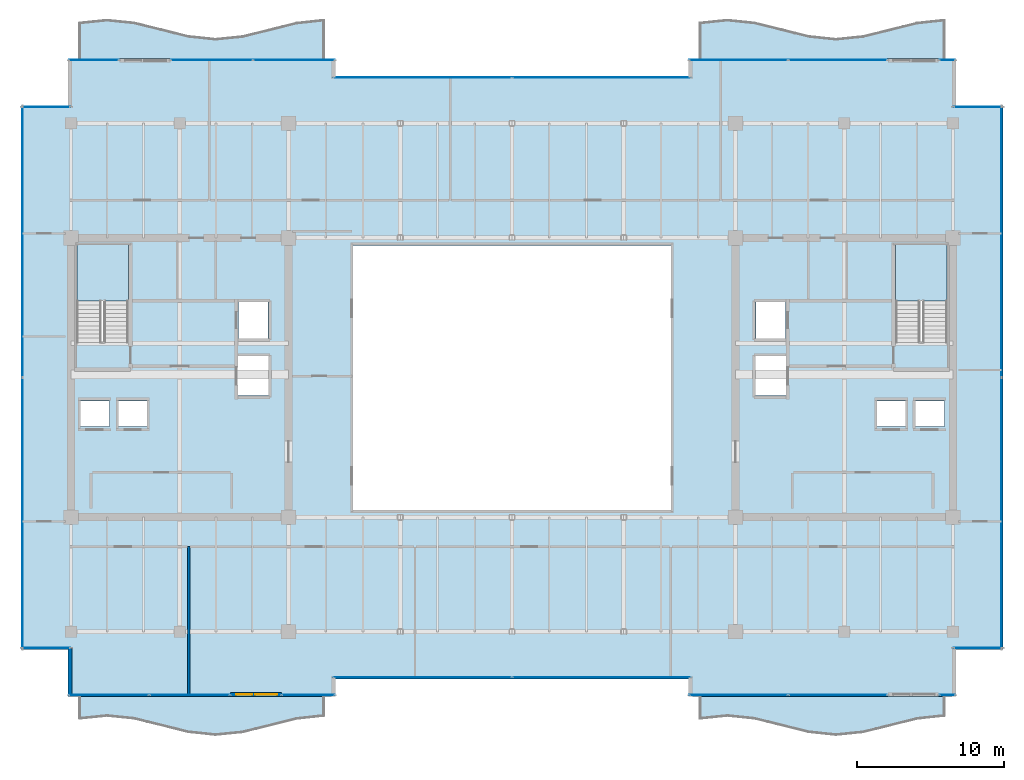
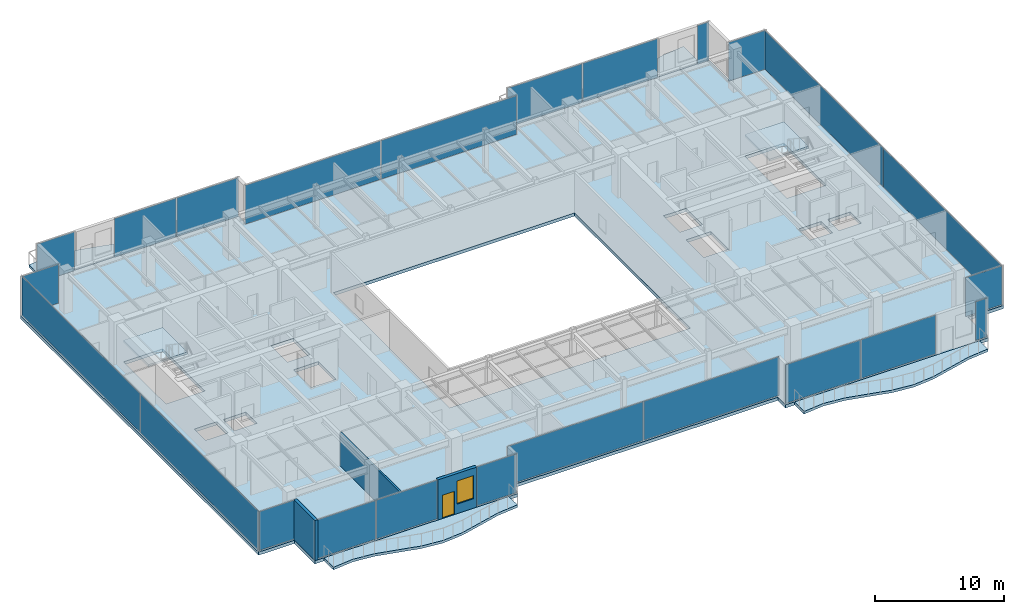
# One storey, part 27 of 34: 24 plates, 7 slabs, 3 walls, 1 door, 1 window, 2 openings, 18 elements without a shape of their own.
"""IFC4 building model written with IfcOpenShell, lengths in metres."""

import ifcopenshell
import ifcopenshell.guid

model = None  # the IFC model being written
_history = None  # IfcOwnerHistory: only IFC2X3 demands one
_inside = {}  # id of a spatial element -> (the spatial element, [elements in it])
_under = {}  # id of a project, library or spatial element -> (it, [spatial elements below it])
_declared = {}  # id of a project -> (the project, [libraries it declares])
_typed = {}  # id of a type object -> (the type object, [elements of that type])
_made_of = {}  # id of a material, layer set ... -> (it, [elements and type objects made of it])


def new_model(schema):
    """Start an empty IFC model of exactly this schema.

    Asked for "IFC4X3", IfcOpenShell would pick the latest addendum, in which some entities
    have other attributes; the version numbers below select the first issue.
    IFC2X3 requires an IfcOwnerHistory on every rooted entity: one is made here for all.
    """
    global model, _history
    if schema == "IFC4X3":
        model = ifcopenshell.file(schema_version=(4, 3, 0, 0))
    else:
        model = ifcopenshell.file(schema=schema)
    _inside.clear()
    _under.clear()
    _declared.clear()
    _typed.clear()
    _made_of.clear()
    _history = None
    if model.schema == "IFC2X3":
        org = make("IfcOrganization", Name="unknown")
        user = make(
            "IfcPersonAndOrganization",
            ThePerson=make("IfcPerson", FamilyName="unknown"),
            TheOrganization=org,
        )
        app = make(
            "IfcApplication",
            ApplicationDeveloper=org,
            Version="unknown",
            ApplicationFullName="unknown",
            ApplicationIdentifier="unknown",
        )
        _history = make(
            "IfcOwnerHistory",
            OwningUser=user,
            OwningApplication=app,
            ChangeAction="ADDED",
            CreationDate=0,
        )
    return model


def make(cls, **values):
    """One entity of the class cls with the attributes given. An attribute that is None is left unset."""
    return model.create_entity(
        cls, **{name: value for name, value in values.items() if value is not None}
    )


def rooted(cls, **values):
    """An entity with a GlobalId (a new one), such as an element, a storey or a relation."""
    return make(cls, GlobalId=ifcopenshell.guid.new(), OwnerHistory=_history, **values)


def si_unit(unit_type, name, prefix=None):
    """IfcSIUnit, for example si_unit("LENGTHUNIT", "METRE", prefix="MILLI")."""
    return make("IfcSIUnit", UnitType=unit_type, Prefix=prefix, Name=name)


def assignment(units):
    """IfcUnitAssignment: the units of a project."""
    return None if units is None else make("IfcUnitAssignment", Units=units)


def point(xyz):
    """IfcCartesianPoint."""
    return None if xyz is None else make("IfcCartesianPoint", Coordinates=xyz)


def direction(xyz):
    """IfcDirection."""
    return None if xyz is None else make("IfcDirection", DirectionRatios=xyz)


def frame(location, z_axis=None, x_axis=None):
    """IfcAxis2Placement3D, a coordinate frame: its origin and axes. An axis left out is left unset."""
    return make(
        "IfcAxis2Placement3D",
        Location=point(location),
        Axis=direction(z_axis),
        RefDirection=direction(x_axis),
    )


def frame_2d(location, x_axis=None):
    """IfcAxis2Placement2D, a coordinate frame in the plane: its origin and x axis."""
    return make(
        "IfcAxis2Placement2D", Location=point(location), RefDirection=direction(x_axis)
    )


def origin():
    """The frame at (0, 0, 0) with its axes left unset."""
    return frame((0.0, 0.0, 0.0))


def origin_2d():
    """The frame at (0, 0) in the plane with its x axis left unset."""
    return frame_2d((0.0, 0.0))


def place(relative_to, where):
    """IfcLocalPlacement: puts the frame where relative to a parent placement (None: the world)."""
    return make(
        "IfcLocalPlacement", PlacementRelTo=relative_to, RelativePlacement=where
    )


def context(
    kind, dimensions, precision=None, world=None, true_north=None, identifier=None
):
    """IfcGeometricRepresentationContext, for example the 3D "Model" context."""
    return make(
        "IfcGeometricRepresentationContext",
        ContextIdentifier=identifier,
        ContextType=kind,
        CoordinateSpaceDimension=dimensions,
        Precision=precision,
        WorldCoordinateSystem=world,
        TrueNorth=true_north,
    )


def subcontext(parent, identifier, kind, view, scale=None):
    """IfcGeometricRepresentationSubContext, for example "Body" below "Model"."""
    return make(
        "IfcGeometricRepresentationSubContext",
        ContextIdentifier=identifier,
        ContextType=kind,
        ParentContext=parent,
        TargetScale=scale,
        TargetView=view,
    )


def project(units=None, contexts=None):
    """IfcProject with its units and contexts."""
    return rooted(
        "IfcProject",
        Name="project",
        RepresentationContexts=contexts,
        UnitsInContext=assignment(units),
    )


def spatial(cls, under=None, at=None, **own):
    """A site, building, storey or space (cls), placed at a placement, below another one or the project."""
    s = rooted(cls, ObjectPlacement=at, **own)
    if under is not None:
        _under.setdefault(under.id(), (under, []))[1].append(s)
    return s


def polyline(points):
    """IfcPolyline through the points."""
    return make("IfcPolyline", Points=[point(p) for p in points])


def profile(cls, at=None, kind="AREA", **sizes):
    """A parametric profile (cls). Its sizes go by their IFC names, for example OverallWidth=200.0."""
    return make(cls, ProfileType=kind, Position=at, **sizes)


def rectangle(**sizes):
    """IfcRectangleProfileDef."""
    return profile("IfcRectangleProfileDef", **sizes)


def outline(outer, holes=None, kind="AREA"):
    """IfcArbitraryClosedProfileDef: a profile drawn as a closed curve; with holes, ...WithVoids."""
    if holes is None:
        return make("IfcArbitraryClosedProfileDef", ProfileType=kind, OuterCurve=outer)
    return make(
        "IfcArbitraryProfileDefWithVoids",
        ProfileType=kind,
        OuterCurve=outer,
        InnerCurves=holes,
    )


def extrude(swept, where, along, depth):
    """IfcExtrudedAreaSolid: the profile swept, set in the frame where, extruded along a direction by depth."""
    return make(
        "IfcExtrudedAreaSolid",
        SweptArea=swept,
        Position=where,
        ExtrudedDirection=direction(along),
        Depth=depth,
    )


def shape(context_of_items, identifier, shape_type, items):
    """IfcShapeRepresentation: the items that make up one representation, for example the "Body"."""
    return make(
        "IfcShapeRepresentation",
        ContextOfItems=context_of_items,
        RepresentationIdentifier=identifier,
        RepresentationType=shape_type,
        Items=items,
    )


def source(mapping_origin, context_of_items, identifier, shape_type, items):
    """IfcRepresentationMap: a shape defined once, which mapped items show again and again."""
    return make(
        "IfcRepresentationMap",
        MappingOrigin=mapping_origin,
        MappedRepresentation=shape(context_of_items, identifier, shape_type, items),
    )


def transform(
    local_origin,
    x_axis=None,
    y_axis=None,
    z_axis=None,
    scale=None,
    scale2=None,
    scale3=None,
    uniform=True,
):
    """IfcCartesianTransformationOperator3D, or its non-uniform kind. x_axis, y_axis, z_axis: its Axis1, 2, 3."""
    if uniform:
        return make(
            "IfcCartesianTransformationOperator3D",
            Axis1=direction(x_axis),
            Axis2=direction(y_axis),
            LocalOrigin=point(local_origin),
            Scale=scale,
            Axis3=direction(z_axis),
        )
    return make(
        "IfcCartesianTransformationOperator3DnonUniform",
        Axis1=direction(x_axis),
        Axis2=direction(y_axis),
        LocalOrigin=point(local_origin),
        Scale=scale,
        Axis3=direction(z_axis),
        Scale2=scale2,
        Scale3=scale3,
    )


def mapped(mapping_source, mapping_target):
    """IfcMappedItem: shows the shape of a source again, moved by a transform."""
    return make(
        "IfcMappedItem", MappingSource=mapping_source, MappingTarget=mapping_target
    )


def material(Name=None, Category=None):
    """IfcMaterial."""
    return make("IfcMaterial", Name=Name, Category=Category)


def layer(
    of_material, thickness, ventilated=None, Name=None, Category=None, Priority=None
):
    """IfcMaterialLayer: one layer of a wall or slab, of a material (None: an air gap)."""
    return make(
        "IfcMaterialLayer",
        Material=of_material,
        LayerThickness=thickness,
        IsVentilated=ventilated,
        Name=Name,
        Category=Category,
        Priority=Priority,
    )


def layer_set(layers, Name=None):
    """IfcMaterialLayerSet."""
    return make("IfcMaterialLayerSet", MaterialLayers=layers, LayerSetName=Name)


def made_of(thing, what):
    """Note that an element or type object is made of a material, layer set ...; save() writes the relation."""
    if what is not None:
        _made_of.setdefault(what.id(), (what, []))[1].append(thing)
    return thing


def type_object(cls, material=None, **own):
    """A type object (cls), such as IfcWallType, which elements share."""
    return made_of(rooted(cls, **own), material)


def type_shapes(of_type, sources):
    """Give a type object the sources (RepresentationMaps) that its elements show as mapped items."""
    of_type.RepresentationMaps = sources


def element(
    cls,
    number,
    at=None,
    inside=None,
    cuts=None,
    type_object=None,
    material=None,
    context=None,
    identifier="Body",
    shape_type=None,
    held_by="IfcProductDefinitionShape",
    body=None,
    shapes=None,
    **own,
):
    """One element of the class cls, such as IfcWall. Its Tag is "e" and its number.

    at: its placement. inside: the storey or other place that contains it. cuts: it is an
    opening in that element (IfcRelVoidsElement). A single representation is given by context,
    identifier, shape_type and body (its items); several are given by shapes. held_by: the class
    of the entity that holds the representations. save() writes the other relations.
    """
    e = rooted(cls, Tag="e%d" % number, ObjectPlacement=at, **own)
    if body is not None:
        shapes = [shape(context, identifier, shape_type, body)]
    if shapes is not None:
        e.Representation = make(held_by, Representations=shapes)
    if inside is not None:
        _inside.setdefault(inside.id(), (inside, []))[1].append(e)
    if cuts is not None:
        rooted(
            "IfcRelVoidsElement", RelatingBuildingElement=cuts, RelatedOpeningElement=e
        )
    if type_object is not None:
        _typed.setdefault(type_object.id(), (type_object, []))[1].append(e)
    return made_of(e, material)


def fill(opening, filler):
    """IfcRelFillsElement: the door or window that sits in an opening."""
    return rooted(
        "IfcRelFillsElement",
        RelatingOpeningElement=opening,
        RelatedBuildingElement=filler,
    )


def aggregate(whole, parts):
    """IfcRelAggregates: a whole, such as a stair, and the parts it consists of."""
    return rooted("IfcRelAggregates", RelatingObject=whole, RelatedObjects=parts)


def save(model, path):
    """Write the relations noted so far, then the file.

    IfcRelAggregates (storeys below a building ...), IfcRelContainedInSpatialStructure (elements
    in a storey), IfcRelDefinesByType, IfcRelAssociatesMaterial and IfcRelDeclares: one each for
    every whole, place, type object, material and project.
    """
    for whole, parts in _under.values():
        aggregate(whole, parts)
    for where, things in _inside.values():
        rooted(
            "IfcRelContainedInSpatialStructure",
            RelatedElements=things,
            RelatingStructure=where,
        )
    for kind, things in _typed.values():
        rooted("IfcRelDefinesByType", RelatedObjects=things, RelatingType=kind)
    for what, things in _made_of.values():
        rooted("IfcRelAssociatesMaterial", RelatedObjects=things, RelatingMaterial=what)
    for by, libraries in _declared.values():
        rooted("IfcRelDeclares", RelatingContext=by, RelatedDefinitions=libraries)
    model.write(path)


model = new_model("IFC4")

# Units and contexts
model_context = context("Model", 3, precision=1e-05, world=origin(), true_north=direction((0.0, 1.0)))
body_context = subcontext(model_context, "Body", "Model", "MODEL_VIEW")
ifc_project = project(units=[si_unit("LENGTHUNIT", "METRE"), si_unit("AREAUNIT", "SQUARE_METRE"), si_unit("VOLUMEUNIT", "CUBIC_METRE"), si_unit("PLANEANGLEUNIT", "RADIAN"), si_unit("MASSUNIT", "GRAM", prefix="KILO")], contexts=[model_context])

# Site, building, storey
site_placement = place(None, origin())
site = spatial("IfcSite", under=ifc_project, at=site_placement, CompositionType="ELEMENT")
building_placement = place(site_placement, origin())
building = spatial("IfcBuilding", under=site, at=building_placement, Name="Haelvirn Gate Laboratories", CompositionType="ELEMENT")
storey_placement = place(building_placement, frame((0.0, 0.0, 246.5)))
storey = spatial("IfcBuildingStorey", under=building, at=storey_placement, Name="L59", CompositionType="ELEMENT", Elevation=246.5)

# Stair, slab
ifc_material_1 = material(Name="Concrete C40/50", Category="concrete")
stair_type = type_object("IfcStairType", Name="ST-DOG-1650-R22", PredefinedType="HALF_TURN_STAIR", material=ifc_material_1)
stair_1_placement = place(storey_placement, origin())
stair_1 = element("IfcStair", 1, at=stair_1_placement, inside=storey, type_object=stair_type, Name="L59 Escape Stair ST1", PredefinedType="HALF_TURN_STAIR")
ifc_layer_1 = layer(ifc_material_1, 0.199951171875, Name="SL-STAIR-LND")
ifc_layer_set_1 = layer_set([ifc_layer_1], Name="Concrete C40/50")
slab_type_1 = type_object("IfcSlabType", Name="SL-STAIR-LND", PredefinedType="LANDING", material=ifc_layer_set_1)
slab_1_placement = place(storey_placement, frame((0.0, 0.0, 1.85009765625)))
slab_1 = element("IfcSlab", 2, at=slab_1_placement, type_object=slab_type_1, Name="ST1 landing 1", PredefinedType="LANDING", context=body_context, shape_type="SweptSolid", body=[
    extrude(outline(polyline([(11.300048828125, 29.5), (11.300048828125, 33.35009765625), (7.800048828125, 33.35009765625), (7.800048828125, 29.5), (11.300048828125, 29.5)])), origin(), (0.0, 0.0, 1.0), 0.199951171875),
])
aggregate(stair_1, [slab_1])

stair_2_placement = place(storey_placement, origin())
stair_2 = element("IfcStair", 3, at=stair_2_placement, inside=storey, type_object=stair_type, Name="L59 Escape Stair ST2", PredefinedType="HALF_TURN_STAIR")
slab_2_placement = place(storey_placement, frame((0.0, 0.0, 1.85009765625)))
slab_2 = element("IfcSlab", 4, at=slab_2_placement, type_object=slab_type_1, Name="ST2 landing 1", PredefinedType="LANDING", context=body_context, shape_type="SweptSolid", body=[
    extrude(outline(polyline([(67.0, 29.5), (67.0, 33.35009765625), (63.5, 33.35009765625), (63.5, 29.5), (67.0, 29.5)])), origin(), (0.0, 0.0, 1.0), 0.199951171875),
])
aggregate(stair_2, [slab_2])

# Slabs
ifc_layer_2 = layer(ifc_material_1, 0.2451171875, Name="SL-WB-P6")
ifc_layer_set_2 = layer_set([ifc_layer_2], Name="Concrete C40/50")
slab_type_2 = type_object("IfcSlabType", Name="SL-WB-P6", PredefinedType="FLOOR", material=ifc_layer_set_2)
slab_3_placement = place(storey_placement, frame((0.0, 0.0, -0.2451171875)))
element("IfcSlab", 5, at=slab_3_placement, inside=storey, type_object=slab_type_2, Name="L59 Soft-Wave Balcony WL-S", PredefinedType="FLOOR", context=body_context, shape_type="SweptSolid", body=[
    extrude(outline(polyline([(8.0, 1.109619140625), (9.844482421875, 1.300048828125), (11.68896484375, 1.11181640625), (13.533203125, 0.654541015625), (15.377685546875, 0.194580078125), (17.22216796875, 0.0), (19.066650390625, 0.183837890625), (20.9111328125, 0.639404296875), (22.755615234375, 1.100830078125), (24.60009765625, 1.2998046875), (24.60009765625, 2.60009765625), (22.755615234375, 2.60009765625), (20.9111328125, 2.60009765625), (19.066650390625, 2.60009765625), (17.22216796875, 2.60009765625), (15.377685546875, 2.60009765625), (13.533203125, 2.60009765625), (11.68896484375, 2.60009765625), (9.844482421875, 2.60009765625), (8.0, 2.60009765625), (8.0, 1.109619140625)])), origin(), (0.0, 0.0, 1.0), 0.2451171875),
])
slab_4_placement = place(storey_placement, frame((0.0, 0.0, -0.2451171875)))
element("IfcSlab", 6, at=slab_4_placement, inside=storey, type_object=slab_type_2, Name="L59 Soft-Wave Balcony WL-N", PredefinedType="FLOOR", context=body_context, shape_type="SweptSolid", body=[
    extrude(outline(polyline([(8.0, 46.0), (9.844482421875, 46.0), (11.68896484375, 46.0), (13.533203125, 46.0), (15.377685546875, 46.0), (17.22216796875, 46.0), (19.066650390625, 46.0), (20.9111328125, 46.0), (22.755615234375, 46.0), (24.60009765625, 46.0), (24.60009765625, 48.599853515625), (22.755615234375, 48.40087890625), (20.9111328125, 47.939208984375), (19.066650390625, 47.48388671875), (17.22216796875, 47.300048828125), (15.377685546875, 47.49462890625), (13.533203125, 47.95458984375), (11.68896484375, 48.411865234375), (9.844482421875, 48.60009765625), (8.0, 48.40966796875), (8.0, 46.0)])), origin(), (0.0, 0.0, 1.0), 0.2451171875),
])
slab_5_placement = place(storey_placement, frame((0.0, 0.0, -0.2451171875)))
element("IfcSlab", 7, at=slab_5_placement, inside=storey, type_object=slab_type_2, Name="L59 Soft-Wave Balcony EL-S", PredefinedType="FLOOR", context=body_context, shape_type="SweptSolid", body=[
    extrude(outline(polyline([(50.199951171875, 1.109619140625), (52.04443359375, 1.300048828125), (53.888916015625, 1.11181640625), (55.7333984375, 0.654541015625), (57.577880859375, 0.194580078125), (59.422119140625, 0.0), (61.2666015625, 0.183837890625), (63.111083984375, 0.639404296875), (64.95556640625, 1.100830078125), (66.800048828125, 1.2998046875), (66.800048828125, 2.60009765625), (64.95556640625, 2.60009765625), (63.111083984375, 2.60009765625), (61.2666015625, 2.60009765625), (59.422119140625, 2.60009765625), (57.577880859375, 2.60009765625), (55.7333984375, 2.60009765625), (53.888916015625, 2.60009765625), (52.04443359375, 2.60009765625), (50.199951171875, 2.60009765625), (50.199951171875, 1.109619140625)])), origin(), (0.0, 0.0, 1.0), 0.2451171875),
])
slab_6_placement = place(storey_placement, frame((0.0, 0.0, -0.2451171875)))
element("IfcSlab", 8, at=slab_6_placement, inside=storey, type_object=slab_type_2, Name="L59 Soft-Wave Balcony EL-N", PredefinedType="FLOOR", context=body_context, shape_type="SweptSolid", body=[
    extrude(outline(polyline([(50.199951171875, 46.0), (52.04443359375, 46.0), (53.888916015625, 46.0), (55.7333984375, 46.0), (57.577880859375, 46.0), (59.422119140625, 46.0), (61.2666015625, 46.0), (63.111083984375, 46.0), (64.95556640625, 46.0), (66.800048828125, 46.0), (66.800048828125, 48.599853515625), (64.95556640625, 48.40087890625), (63.111083984375, 47.939208984375), (61.2666015625, 47.48388671875), (59.422119140625, 47.300048828125), (57.577880859375, 47.49462890625), (55.7333984375, 47.95458984375), (53.888916015625, 48.411865234375), (52.04443359375, 48.60009765625), (50.199951171875, 48.40966796875), (50.199951171875, 46.0)])), origin(), (0.0, 0.0, 1.0), 0.2451171875),
])
ifc_layer_3 = layer(ifc_material_1, 0.300048828125, Name="SL-Z3-300")
ifc_layer_set_3 = layer_set([ifc_layer_3], Name="Concrete C40/50")
slab_type_3 = type_object("IfcSlabType", Name="SL-Z3-300", PredefinedType="FLOOR", material=ifc_layer_set_3)
slab_7_placement = place(storey_placement, frame((0.0, 0.0, -0.300048828125)))
element("IfcSlab", 9, at=slab_7_placement, inside=storey, type_object=slab_type_3, Name="L59 Structural Slab MAIN", PredefinedType="FLOOR", context=body_context, shape_type="SweptSolid", body=[
    extrude(outline(polyline([(7.199951171875, 2.60009765625), (25.39990234375, 2.60009765625), (25.39990234375, 3.800048828125), (49.39990234375, 3.800048828125), (49.39990234375, 2.60009765625), (67.60009765625, 2.60009765625), (67.60009765625, 5.800048828125), (70.800048828125, 5.800048828125), (70.800048828125, 42.800048828125), (67.60009765625, 42.800048828125), (67.60009765625, 46.0), (49.39990234375, 46.0), (49.39990234375, 44.800048828125), (25.39990234375, 44.800048828125), (25.39990234375, 46.0), (7.199951171875, 46.0), (7.199951171875, 42.800048828125), (4.0, 42.800048828125), (4.0, 5.800048828125), (7.199951171875, 5.800048828125), (7.199951171875, 2.60009765625)]), holes=[polyline([(26.60009765625, 15.300048828125), (48.199951171875, 15.300048828125), (48.199951171875, 33.300048828125), (26.60009765625, 33.300048828125), (26.60009765625, 15.300048828125)]), polyline([(11.300048828125, 26.780029296875), (11.300048828125, 33.35009765625), (7.800048828125, 33.35009765625), (7.800048828125, 26.780029296875), (11.300048828125, 26.780029296875)]), polyline([(67.0, 26.780029296875), (67.0, 33.35009765625), (63.5, 33.35009765625), (63.5, 26.780029296875), (67.0, 26.780029296875)]), polyline([(7.989990234375, 20.969970703125), (10.010009765625, 20.969970703125), (10.010009765625, 22.7099609375), (7.989990234375, 22.7099609375), (7.989990234375, 20.969970703125)]), polyline([(10.590087890625, 20.969970703125), (12.610107421875, 20.969970703125), (12.610107421875, 22.7099609375), (10.590087890625, 22.7099609375), (10.590087890625, 20.969970703125)]), polyline([(18.7900390625, 26.969970703125), (20.81005859375, 26.969970703125), (20.81005859375, 29.510009765625), (18.7900390625, 29.510009765625), (18.7900390625, 26.969970703125)]), polyline([(18.68994140625, 23.070068359375), (20.909912109375, 23.070068359375), (20.909912109375, 25.81005859375), (18.68994140625, 25.81005859375), (18.68994140625, 23.070068359375)]), polyline([(64.7900390625, 20.969970703125), (66.81005859375, 20.969970703125), (66.81005859375, 22.7099609375), (64.7900390625, 22.7099609375), (64.7900390625, 20.969970703125)]), polyline([(62.18994140625, 20.969970703125), (64.2099609375, 20.969970703125), (64.2099609375, 22.7099609375), (62.18994140625, 22.7099609375), (62.18994140625, 20.969970703125)]), polyline([(53.989990234375, 26.969970703125), (56.010009765625, 26.969970703125), (56.010009765625, 29.510009765625), (53.989990234375, 29.510009765625), (53.989990234375, 26.969970703125)]), polyline([(53.889892578125, 23.070068359375), (56.110107421875, 23.070068359375), (56.110107421875, 25.81005859375), (53.889892578125, 25.81005859375), (53.889892578125, 23.070068359375)])]), origin(), (0.0, 0.0, 1.0), 0.300048828125),
])

# Curtain wall, plates
ifc_material_2 = material(Name="Anodised bronze unitised aluminium & triple low-E glass", Category="aluminium")
ifc_layer_4 = layer(ifc_material_2, 0.176025390625, Name="CW-SYS-4")
ifc_layer_set_4 = layer_set([ifc_layer_4], Name="Anodised bronze unitised aluminium & triple low-E glass")
curtain_wall_type_1 = type_object("IfcCurtainWallType", Name="CW-SYS-4", PredefinedType="NOTDEFINED", material=ifc_layer_set_4)
curtain_wall_1_placement = place(storey_placement, origin())
curtain_wall_1 = element("IfcCurtainWall", 10, at=curtain_wall_1_placement, inside=storey, type_object=curtain_wall_type_1, Name="L59 Unitised Curtain Wall CW-L59-P0-E02-1", PredefinedType="NOTDEFINED")
ifc_material_3 = material(Name="Acoustic laminated bronze triple IGU 36 mm", Category="glass")
ifc_layer_5 = layer(ifc_material_3, 0.035888671875, Name="CWP-IGU-36")
ifc_layer_set_5 = layer_set([ifc_layer_5], Name="Acoustic laminated bronze triple IGU 36 mm")
plate_type_1 = type_object("IfcPlateType", Name="CWP-IGU-36", PredefinedType="CURTAIN_PANEL", material=ifc_layer_set_5)
shared_shape_1 = source(origin(), body_context, "Body", "SweptSolid", [
    extrude(rectangle(XDim=12.135009765625, YDim=0.035888671875, at=origin_2d()), origin(), (0.0, 0.0, 1.0), 3.669921875),
])
plate_1_placement = place(storey_placement, frame((31.297607421875, 3.89990234375, 0.06494140625), z_axis=(0.0, 0.0, 1.0), x_axis=(1.0, 0.0, 0.0)))
plate_1 = element("IfcPlate", 11, at=plate_1_placement, type_object=plate_type_1, Name="CW4 panel 1.1", PredefinedType="CURTAIN_PANEL", context=body_context, shape_type="MappedRepresentation", body=[
    mapped(shared_shape_1, transform((0.0, 0.0, 0.0), scale=1.0)),
])
plate_2_placement = place(storey_placement, frame((43.50244140625, 3.89990234375, 0.06494140625), z_axis=(0.0, 0.0, 1.0), x_axis=(1.0, 0.0, 0.0)))
plate_2 = element("IfcPlate", 12, at=plate_2_placement, type_object=plate_type_1, Name="CW4 panel 2.1", PredefinedType="CURTAIN_PANEL", context=body_context, shape_type="MappedRepresentation", body=[
    mapped(shared_shape_1, transform((0.0, 0.0, 0.0), scale=1.0)),
])
aggregate(curtain_wall_1, [plate_1, plate_2])

curtain_wall_2_placement = place(storey_placement, origin())
curtain_wall_2 = element("IfcCurtainWall", 13, at=curtain_wall_2_placement, inside=storey, type_object=curtain_wall_type_1, Name="L59 Unitised Curtain Wall CW-L59-P0-E12-1", PredefinedType="NOTDEFINED")
plate_3_placement = place(storey_placement, frame((31.297607421875, 44.699951171875, 0.06494140625), z_axis=(0.0, 0.0, 1.0), x_axis=(1.0, 0.0, 0.0)))
plate_3 = element("IfcPlate", 14, at=plate_3_placement, type_object=plate_type_1, Name="CW4 panel 1.1", PredefinedType="CURTAIN_PANEL", context=body_context, shape_type="MappedRepresentation", body=[
    mapped(shared_shape_1, transform((0.0, 0.0, 0.0), scale=1.0)),
])
plate_4_placement = place(storey_placement, frame((43.50244140625, 44.699951171875, 0.06494140625), z_axis=(0.0, 0.0, 1.0), x_axis=(1.0, 0.0, 0.0)))
plate_4 = element("IfcPlate", 15, at=plate_4_placement, type_object=plate_type_1, Name="CW4 panel 2.1", PredefinedType="CURTAIN_PANEL", context=body_context, shape_type="MappedRepresentation", body=[
    mapped(shared_shape_1, transform((0.0, 0.0, 0.0), scale=1.0)),
])
aggregate(curtain_wall_2, [plate_3, plate_4])

# Curtain wall, plate
ifc_layer_6 = layer(ifc_material_2, 0.181884765625, Name="CW-SYS-5")
ifc_layer_set_6 = layer_set([ifc_layer_6], Name="Anodised bronze unitised aluminium & triple low-E glass")
curtain_wall_type_2 = type_object("IfcCurtainWallType", Name="CW-SYS-5", PredefinedType="NOTDEFINED", material=ifc_layer_set_6)
curtain_wall_3_placement = place(storey_placement, origin())
curtain_wall_3 = element("IfcCurtainWall", 16, at=curtain_wall_3_placement, inside=storey, type_object=curtain_wall_type_2, Name="L59 Unitised Curtain Wall CW-L59-P0-E06-1", PredefinedType="NOTDEFINED")
ifc_material_4 = material(Name="Clear low-iron notched-corner triple IGU 42 mm", Category="glass")
ifc_layer_7 = layer(ifc_material_4, 0.0419921875, Name="CWP-NTC-42")
ifc_layer_set_7 = layer_set([ifc_layer_7], Name="Clear low-iron notched-corner triple IGU 42 mm")
plate_type_2 = type_object("IfcPlateType", Name="CWP-NTC-42", PredefinedType="CURTAIN_PANEL", material=ifc_layer_set_7)
shared_shape_2 = source(origin(), body_context, "Body", "SweptSolid", [
    extrude(rectangle(XDim=3.280029296875, YDim=0.0419921875, at=origin_2d()), origin(), (0.0, 0.0, 1.0), 3.669921875),
])
type_shapes(plate_type_2, [shared_shape_2])
plate_5_placement = place(storey_placement, frame((69.080078125, 5.89990234375, 0.06494140625), z_axis=(0.0, 0.0, 1.0), x_axis=(1.0, 0.0, 0.0)))
plate_5 = element("IfcPlate", 17, at=plate_5_placement, type_object=plate_type_2, Name="CW5 panel 1.1", PredefinedType="CURTAIN_PANEL", context=body_context, shape_type="MappedRepresentation", body=[
    mapped(shared_shape_2, transform((0.0, 0.0, 0.0), scale=1.0)),
])
aggregate(curtain_wall_3, [plate_5])

curtain_wall_4_placement = place(storey_placement, origin())
curtain_wall_4 = element("IfcCurtainWall", 18, at=curtain_wall_4_placement, inside=storey, type_object=curtain_wall_type_2, Name="L59 Unitised Curtain Wall CW-L59-P0-E08-1", PredefinedType="NOTDEFINED")
plate_6_placement = place(storey_placement, frame((69.080078125, 42.699951171875, 0.06494140625), z_axis=(0.0, 0.0, 1.0), x_axis=(1.0, 0.0, 0.0)))
plate_6 = element("IfcPlate", 19, at=plate_6_placement, type_object=plate_type_2, Name="CW5 panel 1.1", PredefinedType="CURTAIN_PANEL", context=body_context, shape_type="MappedRepresentation", body=[
    mapped(shared_shape_2, transform((0.0, 0.0, 0.0), scale=1.0)),
])
aggregate(curtain_wall_4, [plate_6])

curtain_wall_5_placement = place(storey_placement, origin())
curtain_wall_5 = element("IfcCurtainWall", 20, at=curtain_wall_5_placement, inside=storey, type_object=curtain_wall_type_2, Name="L59 Unitised Curtain Wall CW-L59-P0-E16-1", PredefinedType="NOTDEFINED")
plate_7_placement = place(storey_placement, frame((5.719970703125, 42.699951171875, 0.06494140625), z_axis=(0.0, 0.0, 1.0), x_axis=(1.0, 0.0, 0.0)))
plate_7 = element("IfcPlate", 21, at=plate_7_placement, type_object=plate_type_2, Name="CW5 panel 1.1", PredefinedType="CURTAIN_PANEL", context=body_context, shape_type="MappedRepresentation", body=[
    mapped(shared_shape_2, transform((0.0, 0.0, 0.0), scale=1.0)),
])
aggregate(curtain_wall_5, [plate_7])

curtain_wall_6_placement = place(storey_placement, origin())
curtain_wall_6 = element("IfcCurtainWall", 22, at=curtain_wall_6_placement, inside=storey, type_object=curtain_wall_type_2, Name="L59 Unitised Curtain Wall CW-L59-P0-E18-1", PredefinedType="NOTDEFINED")
plate_8_placement = place(storey_placement, frame((5.719970703125, 5.89990234375, 0.06494140625), z_axis=(0.0, 0.0, 1.0), x_axis=(1.0, 0.0, 0.0)))
plate_8 = element("IfcPlate", 23, at=plate_8_placement, type_object=plate_type_2, Name="CW5 panel 1.1", PredefinedType="CURTAIN_PANEL", context=body_context, shape_type="MappedRepresentation", body=[
    mapped(shared_shape_2, transform((0.0, 0.0, 0.0), scale=1.0)),
])
aggregate(curtain_wall_6, [plate_8])

# Curtain wall, plates
curtain_wall_7_placement = place(storey_placement, origin())
curtain_wall_7 = element("IfcCurtainWall", 24, at=curtain_wall_7_placement, inside=storey, type_object=curtain_wall_type_1, Name="L59 Unitised Curtain Wall CW-L59-P0-E07", PredefinedType="NOTDEFINED")
shared_shape_3 = source(origin(), body_context, "Body", "SweptSolid", [
    extrude(rectangle(XDim=18.39501953125, YDim=0.035888671875, at=origin_2d()), origin(), (0.0, 0.0, 1.0), 3.669921875),
])
plate_9_placement = place(storey_placement, frame((70.699951171875, 15.0673828125, 0.06494140625), z_axis=(0.0, 0.0, 1.0), x_axis=(0.0, 1.0, 0.0)))
plate_9 = element("IfcPlate", 25, at=plate_9_placement, type_object=plate_type_1, Name="CW4 panel 1.1", PredefinedType="CURTAIN_PANEL", context=body_context, shape_type="MappedRepresentation", body=[
    mapped(shared_shape_3, transform((0.0, 0.0, 0.0), scale=1.0)),
])
plate_10_placement = place(storey_placement, frame((70.699951171875, 33.532470703125, 0.06494140625), z_axis=(0.0, 0.0, 1.0), x_axis=(0.0, 1.0, 0.0)))
plate_10 = element("IfcPlate", 26, at=plate_10_placement, type_object=plate_type_1, Name="CW4 panel 2.1", PredefinedType="CURTAIN_PANEL", context=body_context, shape_type="MappedRepresentation", body=[
    mapped(shared_shape_3, transform((0.0, 0.0, 0.0), scale=1.0)),
])
aggregate(curtain_wall_7, [plate_9, plate_10])

curtain_wall_8_placement = place(storey_placement, origin())
curtain_wall_8 = element("IfcCurtainWall", 27, at=curtain_wall_8_placement, inside=storey, type_object=curtain_wall_type_1, Name="L59 Unitised Curtain Wall CW-L59-P0-E17", PredefinedType="NOTDEFINED")
plate_11_placement = place(storey_placement, frame((4.10009765625, 33.532470703125, 0.06494140625), z_axis=(0.0, 0.0, 1.0), x_axis=(0.0, -1.0, 0.0)))
plate_11 = element("IfcPlate", 28, at=plate_11_placement, type_object=plate_type_1, Name="CW4 panel 1.1", PredefinedType="CURTAIN_PANEL", context=body_context, shape_type="MappedRepresentation", body=[
    mapped(shared_shape_3, transform((0.0, 0.0, 0.0), scale=1.0)),
])
plate_12_placement = place(storey_placement, frame((4.10009765625, 15.0673828125, 0.06494140625), z_axis=(0.0, 0.0, 1.0), x_axis=(0.0, -1.0, 0.0)))
plate_12 = element("IfcPlate", 29, at=plate_12_placement, type_object=plate_type_1, Name="CW4 panel 2.1", PredefinedType="CURTAIN_PANEL", context=body_context, shape_type="MappedRepresentation", body=[
    mapped(shared_shape_3, transform((0.0, 0.0, 0.0), scale=1.0)),
])
aggregate(curtain_wall_8, [plate_11, plate_12])

curtain_wall_9_placement = place(storey_placement, origin())
curtain_wall_9 = element("IfcCurtainWall", 30, at=curtain_wall_9_placement, inside=storey, type_object=curtain_wall_type_1, Name="L59 Unitised Curtain Wall CW-L59-P0-E04-1", PredefinedType="NOTDEFINED")
shared_shape_4 = source(origin(), body_context, "Body", "SweptSolid", [
    extrude(rectangle(XDim=6.68505859375, YDim=0.035888671875, at=origin_2d()), origin(), (0.0, 0.0, 1.0), 3.669921875),
])
plate_13_placement = place(storey_placement, frame((52.8125, 2.699951171875, 0.06494140625), z_axis=(0.0, 0.0, 1.0), x_axis=(1.0, 0.0, 0.0)))
plate_13 = element("IfcPlate", 31, at=plate_13_placement, type_object=plate_type_1, Name="CW4 panel 1.1", PredefinedType="CURTAIN_PANEL", context=body_context, shape_type="MappedRepresentation", body=[
    mapped(shared_shape_4, transform((0.0, 0.0, 0.0), scale=1.0)),
])
plate_14_placement = place(storey_placement, frame((59.5673828125, 2.699951171875, 0.06494140625), z_axis=(0.0, 0.0, 1.0), x_axis=(1.0, 0.0, 0.0)))
plate_14 = element("IfcPlate", 32, at=plate_14_placement, type_object=plate_type_1, Name="CW4 panel 2.1", PredefinedType="CURTAIN_PANEL", context=body_context, shape_type="MappedRepresentation", body=[
    mapped(shared_shape_4, transform((0.0, 0.0, 0.0), scale=1.0)),
])
aggregate(curtain_wall_9, [plate_13, plate_14])

curtain_wall_10_placement = place(storey_placement, origin())
curtain_wall_10 = element("IfcCurtainWall", 33, at=curtain_wall_10_placement, inside=storey, type_object=curtain_wall_type_1, Name="L59 Unitised Curtain Wall CW-L59-P0-E10-1", PredefinedType="NOTDEFINED")
plate_15_placement = place(storey_placement, frame((52.8125, 45.89990234375, 0.06494140625), z_axis=(0.0, 0.0, 1.0), x_axis=(1.0, 0.0, 0.0)))
plate_15 = element("IfcPlate", 34, at=plate_15_placement, type_object=plate_type_1, Name="CW4 panel 1.1", PredefinedType="CURTAIN_PANEL", context=body_context, shape_type="MappedRepresentation", body=[
    mapped(shared_shape_4, transform((0.0, 0.0, 0.0), scale=1.0)),
])
plate_16_placement = place(storey_placement, frame((59.5673828125, 45.89990234375, 0.06494140625), z_axis=(0.0, 0.0, 1.0), x_axis=(1.0, 0.0, 0.0)))
plate_16 = element("IfcPlate", 35, at=plate_16_placement, type_object=plate_type_1, Name="CW4 panel 2.1", PredefinedType="CURTAIN_PANEL", context=body_context, shape_type="MappedRepresentation", body=[
    mapped(shared_shape_4, transform((0.0, 0.0, 0.0), scale=1.0)),
])
aggregate(curtain_wall_10, [plate_15, plate_16])

# Curtain wall, plate
curtain_wall_11_placement = place(storey_placement, origin())
curtain_wall_11 = element("IfcCurtainWall", 36, at=curtain_wall_11_placement, inside=storey, type_object=curtain_wall_type_1, Name="L59 Unitised Curtain Wall CW-L59-P0-E04-2", PredefinedType="NOTDEFINED")
shared_shape_5 = source(origin(), body_context, "Body", "SweptSolid", [
    extrude(rectangle(XDim=1.0400390625, YDim=0.035888671875, at=origin_2d()), origin(), (0.0, 0.0, 1.0), 3.669921875),
])
plate_17_placement = place(storey_placement, frame((67.010009765625, 2.699951171875, 0.06494140625), z_axis=(0.0, 0.0, 1.0), x_axis=(1.0, 0.0, 0.0)))
plate_17 = element("IfcPlate", 37, at=plate_17_placement, type_object=plate_type_1, Name="CW4 panel 1.1", PredefinedType="CURTAIN_PANEL", context=body_context, shape_type="MappedRepresentation", body=[
    mapped(shared_shape_5, transform((0.0, 0.0, 0.0), scale=1.0)),
])
aggregate(curtain_wall_11, [plate_17])

curtain_wall_12_placement = place(storey_placement, origin())
curtain_wall_12 = element("IfcCurtainWall", 38, at=curtain_wall_12_placement, inside=storey, type_object=curtain_wall_type_1, Name="L59 Unitised Curtain Wall CW-L59-P0-E10-2", PredefinedType="NOTDEFINED")
plate_18_placement = place(storey_placement, frame((67.010009765625, 45.89990234375, 0.06494140625), z_axis=(0.0, 0.0, 1.0), x_axis=(1.0, 0.0, 0.0)))
plate_18 = element("IfcPlate", 39, at=plate_18_placement, type_object=plate_type_1, Name="CW4 panel 1.1", PredefinedType="CURTAIN_PANEL", context=body_context, shape_type="MappedRepresentation", body=[
    mapped(shared_shape_5, transform((0.0, 0.0, 0.0), scale=1.0)),
])
aggregate(curtain_wall_12, [plate_18])

# Curtain wall, plates
curtain_wall_13_placement = place(storey_placement, origin())
curtain_wall_13 = element("IfcCurtainWall", 40, at=curtain_wall_13_placement, inside=storey, type_object=curtain_wall_type_1, Name="L59 Unitised Curtain Wall CW-L59-P0-E00-1", PredefinedType="NOTDEFINED")
shared_shape_6 = source(origin(), body_context, "Body", "SweptSolid", [
    extrude(rectangle(XDim=5.422607421875, YDim=0.035888671875, at=origin_2d()), origin(), (0.0, 0.0, 1.0), 3.669921875),
])
plate_19_placement = place(storey_placement, frame((9.981201171875, 2.699951171875, 0.06494140625), z_axis=(0.0, 0.0, 1.0), x_axis=(1.0, 0.0, 0.0)))
plate_19 = element("IfcPlate", 41, at=plate_19_placement, type_object=plate_type_1, Name="CW4 panel 1.1", PredefinedType="CURTAIN_PANEL", context=body_context, shape_type="MappedRepresentation", body=[
    mapped(shared_shape_6, transform((0.0, 0.0, 0.0), scale=1.0)),
])
plate_20_placement = place(storey_placement, frame((15.4736328125, 2.699951171875, 0.06494140625), z_axis=(0.0, 0.0, 1.0), x_axis=(1.0, 0.0, 0.0)))
plate_20 = element("IfcPlate", 42, at=plate_20_placement, type_object=plate_type_1, Name="CW4 panel 2.1", PredefinedType="CURTAIN_PANEL", context=body_context, shape_type="MappedRepresentation", body=[
    mapped(shared_shape_6, transform((0.0, 0.0, 0.0), scale=1.0)),
])
aggregate(curtain_wall_13, [plate_19, plate_20])

# Curtain wall, plate
curtain_wall_14_placement = place(storey_placement, origin())
curtain_wall_14 = element("IfcCurtainWall", 43, at=curtain_wall_14_placement, inside=storey, type_object=curtain_wall_type_1, Name="L59 Unitised Curtain Wall CW-L59-P0-E00-2", PredefinedType="NOTDEFINED")
shared_shape_7 = source(origin(), body_context, "Body", "SweptSolid", [
    extrude(rectangle(XDim=3.56494140625, YDim=0.035888671875, at=origin_2d()), origin(), (0.0, 0.0, 1.0), 3.669921875),
])
plate_21_placement = place(storey_placement, frame((23.547607421875, 2.699951171875, 0.06494140625), z_axis=(0.0, 0.0, 1.0), x_axis=(1.0, 0.0, 0.0)))
plate_21 = element("IfcPlate", 44, at=plate_21_placement, type_object=plate_type_1, Name="CW4 panel 1.1", PredefinedType="CURTAIN_PANEL", context=body_context, shape_type="MappedRepresentation", body=[
    mapped(shared_shape_7, transform((0.0, 0.0, 0.0), scale=1.0)),
])
aggregate(curtain_wall_14, [plate_21])

curtain_wall_15_placement = place(storey_placement, origin())
curtain_wall_15 = element("IfcCurtainWall", 45, at=curtain_wall_15_placement, inside=storey, type_object=curtain_wall_type_1, Name="L59 Unitised Curtain Wall CW-L59-P0-E14-1", PredefinedType="NOTDEFINED")
shared_shape_8 = source(origin(), body_context, "Body", "SweptSolid", [
    extrude(rectangle(XDim=3.364990234375, YDim=0.035888671875, at=origin_2d()), origin(), (0.0, 0.0, 1.0), 3.669921875),
])
plate_22_placement = place(storey_placement, frame((8.952392578125, 45.89990234375, 0.06494140625), z_axis=(0.0, 0.0, 1.0), x_axis=(1.0, 0.0, 0.0)))
plate_22 = element("IfcPlate", 46, at=plate_22_placement, type_object=plate_type_1, Name="CW4 panel 1.1", PredefinedType="CURTAIN_PANEL", context=body_context, shape_type="MappedRepresentation", body=[
    mapped(shared_shape_8, transform((0.0, 0.0, 0.0), scale=1.0)),
])
aggregate(curtain_wall_15, [plate_22])

# Curtain wall, plates
curtain_wall_16_placement = place(storey_placement, origin())
curtain_wall_16 = element("IfcCurtainWall", 47, at=curtain_wall_16_placement, inside=storey, type_object=curtain_wall_type_1, Name="L59 Unitised Curtain Wall CW-L59-P0-E14-2", PredefinedType="NOTDEFINED")
shared_shape_9 = source(origin(), body_context, "Body", "SweptSolid", [
    extrude(rectangle(XDim=5.5224609375, YDim=0.035888671875, at=origin_2d()), origin(), (0.0, 0.0, 1.0), 3.669921875),
])
type_shapes(plate_type_1, [shared_shape_1, shared_shape_3, shared_shape_4, shared_shape_5, shared_shape_6, shared_shape_7, shared_shape_8, shared_shape_9])
plate_23_placement = place(storey_placement, frame((16.976318359375, 45.89990234375, 0.06494140625), z_axis=(0.0, 0.0, 1.0), x_axis=(1.0, 0.0, 0.0)))
plate_23 = element("IfcPlate", 48, at=plate_23_placement, type_object=plate_type_1, Name="CW4 panel 1.1", PredefinedType="CURTAIN_PANEL", context=body_context, shape_type="MappedRepresentation", body=[
    mapped(shared_shape_9, transform((0.0, 0.0, 0.0), scale=1.0)),
])
plate_24_placement = place(storey_placement, frame((22.56884765625, 45.89990234375, 0.06494140625), z_axis=(0.0, 0.0, 1.0), x_axis=(1.0, 0.0, 0.0)))
plate_24 = element("IfcPlate", 49, at=plate_24_placement, type_object=plate_type_1, Name="CW4 panel 2.1", PredefinedType="CURTAIN_PANEL", context=body_context, shape_type="MappedRepresentation", body=[
    mapped(shared_shape_9, transform((0.0, 0.0, 0.0), scale=1.0)),
])
aggregate(curtain_wall_16, [plate_23, plate_24])

# Wall, openings, door, window
ifc_material_5 = material(Name="Thermally-broken bronze aluminium rainscreen & mineral wool", Category="aluminium")
ifc_layer_8 = layer(ifc_material_5, 0.280029296875, Name="EW-TERR-280")
ifc_layer_set_8 = layer_set([ifc_layer_8], Name="Thermally-broken bronze aluminium rainscreen & mineral wool")
wall_type_1 = type_object("IfcWallType", Name="EW-TERR-280", PredefinedType="STANDARD", material=ifc_layer_set_8)
wall_1_placement = place(storey_placement, frame((18.2470703125, 2.739990234375, 0.0), z_axis=(0.0, 0.0, 1.0), x_axis=(1.0, 0.0, 0.0)))
wall_1 = element("IfcWall", 50, at=wall_1_placement, inside=storey, type_object=wall_type_1, Name="L59 Terrace Access Wall WB-WL-S", PredefinedType="STANDARD", context=body_context, shape_type="SweptSolid", body=[
    extrude(rectangle(XDim=3.455810546875, YDim=0.280029296875, at=frame_2d((1.72802734375, 0.0))), origin(), (0.0, 0.0, 1.0), 3.800048828125),
])
opening_1_placement = place(wall_1_placement, frame((0.3779296875, 0.0, 0.0)))
opening_1 = element("IfcOpeningElement", 51, at=opening_1_placement, cuts=wall_1, Name="Opening TD1", PredefinedType="OPENING", context=body_context, shape_type="SweptSolid", body=[
    extrude(rectangle(XDim=1.10009765625, YDim=2.199951171875, at=frame_2d((0.550048828125, 1.10009765625))), frame((0.0, 0.14990234375, 0.0), z_axis=(0.0, -1.0, 0.0), x_axis=(1.0, 0.0, 0.0)), (0.0, 0.0, 1.0), 0.300048828125),
])
opening_2_placement = place(wall_1_placement, frame((1.677978515625, 0.0, 0.89990234375)))
opening_2 = element("IfcOpeningElement", 52, at=opening_2_placement, cuts=wall_1, Name="Opening W3", PredefinedType="OPENING", context=body_context, shape_type="SweptSolid", body=[
    extrude(rectangle(XDim=1.5, YDim=2.199951171875, at=frame_2d((0.75, 1.10009765625))), frame((0.0, 0.14990234375, 0.0), z_axis=(0.0, -1.0, 0.0), x_axis=(1.0, 0.0, 0.0)), (0.0, 0.0, 1.0), 0.300048828125),
])
ifc_material_6 = material(Name="Thermally-broken bronze aluminium glazed terrace door", Category="aluminium")
door_type = type_object("IfcDoorType", Name="DR-TERR-1100", OperationType="NOTDEFINED", PredefinedType="DOOR", material=ifc_material_6)
shared_shape_10 = source(origin(), body_context, "Body", "SweptSolid", [
    extrude(rectangle(XDim=1.10009765625, YDim=2.199951171875, at=frame_2d((0.550048828125, 1.10009765625))), frame((0.0, 0.02490234375, 0.0), z_axis=(0.0, -1.0, 0.0), x_axis=(1.0, 0.0, 0.0)), (0.0, 0.0, 1.0), 0.050048828125),
])
type_shapes(door_type, [shared_shape_10])
door_placement = place(opening_1_placement, origin())
door = element("IfcDoor", 53, at=door_placement, inside=storey, type_object=door_type, Name="L59 Terrace Access Door WB-WL-S", OperationType="SINGLE_SWING_LEFT", OverallHeight=2.199951171875, OverallWidth=1.10009765625, PredefinedType="DOOR", context=body_context, shape_type="MappedRepresentation", body=[
    mapped(shared_shape_10, transform((0.0, 0.0, 0.0), scale=1.0)),
])
fill(opening_1, door)
ifc_material_7 = material(Name="Bronze anodised aluminium & triple low-E glass", Category="aluminium")
window_type = type_object("IfcWindowType", Name="WIN-TERR-1600", PartitioningType="SINGLE_PANEL", PredefinedType="WINDOW", material=ifc_material_7)
shared_shape_11 = source(origin(), body_context, "Body", "SweptSolid", [
    extrude(rectangle(XDim=1.5, YDim=2.199951171875, at=frame_2d((0.75, 1.10009765625))), frame((0.0, 0.030029296875, 0.0), z_axis=(0.0, -1.0, 0.0), x_axis=(1.0, 0.0, 0.0)), (0.0, 0.0, 1.0), 0.06005859375),
])
type_shapes(window_type, [shared_shape_11])
window_placement = place(opening_2_placement, origin())
window = element("IfcWindow", 54, at=window_placement, inside=storey, type_object=window_type, Name="L59 Terrace Vision Window WB-WL-S", OverallHeight=2.199951171875, OverallWidth=1.5, PartitioningType="SINGLE_PANEL", PredefinedType="WINDOW", context=body_context, shape_type="MappedRepresentation", body=[
    mapped(shared_shape_11, transform((0.0, 0.0, 0.0), scale=1.0)),
])
fill(opening_2, window)

# Walls
wall_2_placement = place(storey_placement, frame((7.340087890625, 5.887939453125, 0.0), z_axis=(0.0, 0.0, 1.0), x_axis=(0.0, -1.0, 0.0)))
element("IfcWall", 55, at=wall_2_placement, inside=storey, type_object=wall_type_1, Name="L59 Atrium Recess Bronze Return Wall 19", PredefinedType="STANDARD", context=body_context, shape_type="SweptSolid", body=[
    extrude(rectangle(XDim=3.287841796875, YDim=0.280029296875, at=frame_2d((1.64404296875, 0.0))), origin(), (0.0, 0.0, 1.0), 3.800048828125),
])
ifc_material_8 = material(Name="Double-layer acoustic gypsum laboratory partition", Category="gypsum")
ifc_layer_9 = layer(ifc_material_8, 0.159912109375, Name="IW-ACOUST-160")
ifc_layer_set_9 = layer_set([ifc_layer_9], Name="Double-layer acoustic gypsum laboratory partition")
wall_type_2 = type_object("IfcWallType", Name="IW-ACOUST-160", PredefinedType="PARTITIONING", material=ifc_layer_set_9)
wall_3_placement = place(storey_placement, frame((15.39990234375, 2.7099609375, 0.0), z_axis=(0.0, 0.0, 1.0), x_axis=(0.0, 1.0, 0.0)))
element("IfcWall", 56, at=wall_3_placement, inside=storey, type_object=wall_type_2, Name="L59 Interior Wall IW-L59-SDIV-01", PredefinedType="PARTITIONING", context=body_context, shape_type="SweptSolid", body=[
    extrude(rectangle(XDim=10.080078125, YDim=0.159912109375, at=frame_2d((5.0400390625, 0.0))), origin(), (0.0, 0.0, 1.0), 3.135009765625),
])

save(model, "model.ifc")
